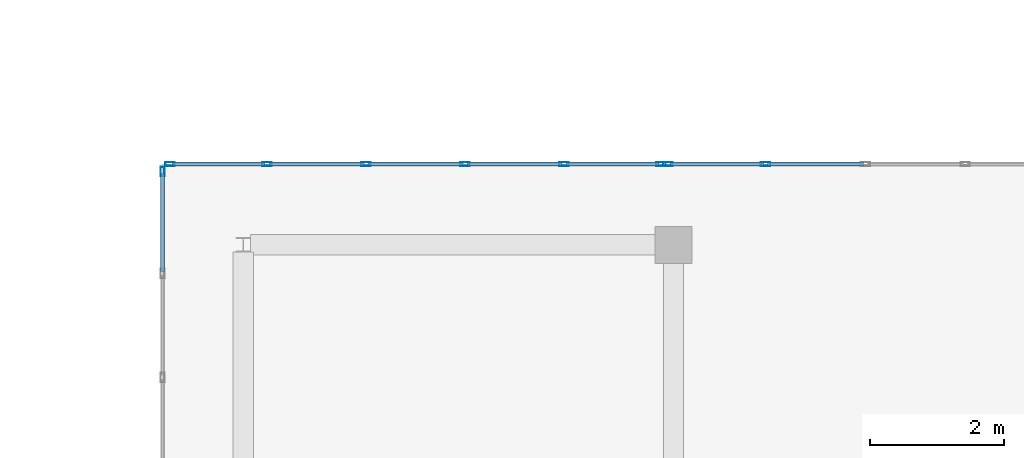
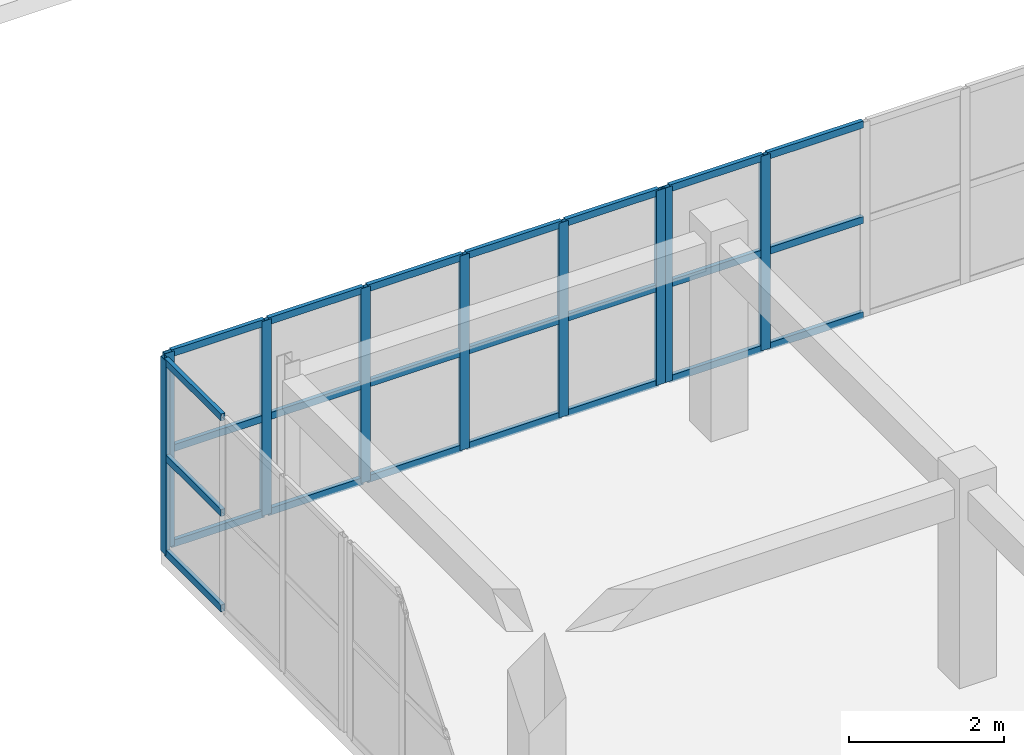
# One storey, part 57 of 148: 33 members, 3 elements without a shape of their own.
"""IFC4 building model written with IfcOpenShell, lengths in metres."""

from ifc_helpers import new_model, si_unit, direction, frame, origin, origin_2d, place, context, subcontext, project, spatial, hollow_rectangle, extrude, material, layer, layer_set, material_profile, profile_set, type_object, element, aggregate, save


model = new_model("IFC4")

# Units and contexts
model_context = context("Model", 3, precision=1e-05, world=origin(), true_north=direction((0.0, 1.0)))
body_context = subcontext(model_context, "Body", "Model", "MODEL_VIEW")
ifc_project = project(units=[si_unit("LENGTHUNIT", "METRE"), si_unit("AREAUNIT", "SQUARE_METRE"), si_unit("VOLUMEUNIT", "CUBIC_METRE"), si_unit("PLANEANGLEUNIT", "RADIAN"), si_unit("MASSUNIT", "GRAM", prefix="KILO")], contexts=[model_context])

# Site, building, storey
site_placement = place(None, origin())
site = spatial("IfcSite", under=ifc_project, at=site_placement, CompositionType="ELEMENT")
building_placement = place(site_placement, origin())
building = spatial("IfcBuilding", under=site, at=building_placement, Name="Trelvath General Hospital", CompositionType="ELEMENT")
storey_placement = place(building_placement, frame((0.0, 0.0, 12.89990234375)))
storey = spatial("IfcBuildingStorey", under=building, at=storey_placement, Name="L03", CompositionType="ELEMENT", Elevation=12.89990234375)

# Curtain wall, members
ifc_material_1 = material(Name="Anodised aluminium and low-E glass", Category="aluminium")
ifc_layer_1 = layer(ifc_material_1, 0.14990234375)
ifc_layer_set_1 = layer_set([ifc_layer_1], Name="Anodised aluminium and low-E glass")
curtain_wall_type_1 = type_object("IfcCurtainWallType", Name="CW CrystalCube 737 306 15", PredefinedType="USERDEFINED", material=ifc_layer_set_1)
curtain_wall_1_placement = place(storey_placement, origin())
curtain_wall_1 = element("IfcCurtainWall", 1, at=curtain_wall_1_placement, inside=storey, type_object=curtain_wall_type_1, Name="Crystal Cube Curtain Wall CUBE-W-T1 N1 L03", ObjectType="Unitised Glazed Curtain Wall", PredefinedType="USERDEFINED")
ifc_material_2 = material(Name="Anodised aluminium", Category="aluminium")
ifc_material_profile_1 = material_profile(ifc_material_2, hollow_rectangle(XDim=0.06005859375, YDim=0.139892578125, WallThickness=0.00390625, at=origin_2d()), Name="RHS60x140x4")
ifc_profile_set_1 = profile_set([ifc_material_profile_1], Name="Anodised aluminium")
member_type_1 = type_object("IfcMemberType", Name="CurtainMullion 60x140", PredefinedType="MULLION", material=ifc_profile_set_1)
member_1_placement = place(storey_placement, frame((53.31005859375, 80.39990234375, 0.0), z_axis=(0.0, 0.0, 1.0), x_axis=(0.0, 1.0, 0.0)))
member_1 = element("IfcMember", 2, at=member_1_placement, type_object=member_type_1, Name="CW-233 mullion 1", PredefinedType="MULLION", context=body_context, shape_type="SweptSolid", body=[
    extrude(hollow_rectangle(XDim=0.06005859375, YDim=0.139892578125, WallThickness=0.00390625, at=origin_2d()), origin(), (0.0, 0.0, 1.0), 3.06005859375),
])
member_2_placement = place(storey_placement, frame((54.75341796875, 80.39990234375, 0.0), z_axis=(0.0, 0.0, 1.0), x_axis=(0.0, 1.0, 0.0)))
member_2 = element("IfcMember", 3, at=member_2_placement, type_object=member_type_1, Name="CW-233 mullion 2", PredefinedType="MULLION", context=body_context, shape_type="SweptSolid", body=[
    extrude(hollow_rectangle(XDim=0.06005859375, YDim=0.139892578125, WallThickness=0.00390625, at=origin_2d()), origin(), (0.0, 0.0, 1.0), 3.06005859375),
])
member_3_placement = place(storey_placement, frame((56.2265625, 80.39990234375, 0.0), z_axis=(0.0, 0.0, 1.0), x_axis=(0.0, 1.0, 0.0)))
member_3 = element("IfcMember", 4, at=member_3_placement, type_object=member_type_1, Name="CW-233 mullion 3", PredefinedType="MULLION", context=body_context, shape_type="SweptSolid", body=[
    extrude(hollow_rectangle(XDim=0.06005859375, YDim=0.139892578125, WallThickness=0.00390625, at=origin_2d()), origin(), (0.0, 0.0, 1.0), 3.06005859375),
])
member_4_placement = place(storey_placement, frame((57.699951171875, 80.39990234375, 0.0), z_axis=(0.0, 0.0, 1.0), x_axis=(0.0, 1.0, 0.0)))
member_4 = element("IfcMember", 5, at=member_4_placement, type_object=member_type_1, Name="CW-233 mullion 4", PredefinedType="MULLION", context=body_context, shape_type="SweptSolid", body=[
    extrude(hollow_rectangle(XDim=0.06005859375, YDim=0.139892578125, WallThickness=0.00390625, at=origin_2d()), origin(), (0.0, 0.0, 1.0), 3.06005859375),
])
member_5_placement = place(storey_placement, frame((59.17333984375, 80.39990234375, 0.0), z_axis=(0.0, 0.0, 1.0), x_axis=(0.0, 1.0, 0.0)))
member_5 = element("IfcMember", 6, at=member_5_placement, type_object=member_type_1, Name="CW-233 mullion 5", PredefinedType="MULLION", context=body_context, shape_type="SweptSolid", body=[
    extrude(hollow_rectangle(XDim=0.06005859375, YDim=0.139892578125, WallThickness=0.00390625, at=origin_2d()), origin(), (0.0, 0.0, 1.0), 3.06005859375),
])
member_6_placement = place(storey_placement, frame((60.61669921875, 80.39990234375, 0.0), z_axis=(0.0, 0.0, 1.0), x_axis=(0.0, 1.0, 0.0)))
member_6 = element("IfcMember", 7, at=member_6_placement, type_object=member_type_1, Name="CW-233 mullion 6", PredefinedType="MULLION", context=body_context, shape_type="SweptSolid", body=[
    extrude(hollow_rectangle(XDim=0.06005859375, YDim=0.139892578125, WallThickness=0.00390625, at=origin_2d()), origin(), (0.0, 0.0, 1.0), 3.06005859375),
])

ifc_material_3 = material(Name="Anodised aluminium and low-E glass", Category="aluminium")
ifc_layer_2 = layer(ifc_material_3, 0.14990234375)
ifc_layer_set_2 = layer_set([ifc_layer_2], Name="Anodised aluminium and low-E glass")
curtain_wall_type_2 = type_object("IfcCurtainWallType", Name="CW CrystalCube 743 306 15", PredefinedType="USERDEFINED", material=ifc_layer_set_2)
curtain_wall_2_placement = place(storey_placement, origin())
curtain_wall_2 = element("IfcCurtainWall", 8, at=curtain_wall_2_placement, inside=storey, type_object=curtain_wall_type_2, Name="Crystal Cube Curtain Wall CUBE-W-T1 N2 L03", ObjectType="Unitised Glazed Curtain Wall", PredefinedType="USERDEFINED")
member_7_placement = place(storey_placement, frame((60.716796875, 80.39990234375, 0.0), z_axis=(0.0, 0.0, 1.0), x_axis=(0.0, 1.0, 0.0)))
member_7 = element("IfcMember", 9, at=member_7_placement, type_object=member_type_1, Name="CW-234 mullion 1", PredefinedType="MULLION", context=body_context, shape_type="SweptSolid", body=[
    extrude(hollow_rectangle(XDim=0.06005859375, YDim=0.139892578125, WallThickness=0.00390625, at=origin_2d()), origin(), (0.0, 0.0, 1.0), 3.06005859375),
])
member_8_placement = place(storey_placement, frame((62.172119140625, 80.39990234375, 0.0), z_axis=(0.0, 0.0, 1.0), x_axis=(0.0, 1.0, 0.0)))
member_8 = element("IfcMember", 10, at=member_8_placement, type_object=member_type_1, Name="CW-234 mullion 2", PredefinedType="MULLION", context=body_context, shape_type="SweptSolid", body=[
    extrude(hollow_rectangle(XDim=0.06005859375, YDim=0.139892578125, WallThickness=0.00390625, at=origin_2d()), origin(), (0.0, 0.0, 1.0), 3.06005859375),
])

# Curtain wall, member
ifc_material_4 = material(Name="Anodised aluminium and low-E glass", Category="aluminium")
ifc_layer_3 = layer(ifc_material_4, 0.14990234375)
ifc_layer_set_3 = layer_set([ifc_layer_3], Name="Anodised aluminium and low-E glass")
curtain_wall_type_3 = type_object("IfcCurtainWallType", Name="CW CrystalCube 464 306 15", PredefinedType="USERDEFINED", material=ifc_layer_set_3)
curtain_wall_3_placement = place(storey_placement, origin())
curtain_wall_3 = element("IfcCurtainWall", 11, at=curtain_wall_3_placement, inside=storey, type_object=curtain_wall_type_3, Name="Crystal Cube Curtain Wall CUBE-W-T1 W5 L03", ObjectType="Unitised Glazed Curtain Wall", PredefinedType="USERDEFINED")
member_9_placement = place(storey_placement, frame((53.199951171875, 80.2900390625, 0.0), z_axis=(0.0, 0.0, 1.0), x_axis=(-1.0, 0.0, 0.0)))
member_9 = element("IfcMember", 12, at=member_9_placement, type_object=member_type_1, Name="CW-242 mullion 4", PredefinedType="MULLION", context=body_context, shape_type="SweptSolid", body=[
    extrude(hollow_rectangle(XDim=0.06005859375, YDim=0.139892578125, WallThickness=0.00390625, at=origin_2d()), origin(), (0.0, 0.0, 1.0), 3.06005859375),
])

# Member
ifc_material_5 = material(Name="Anodised aluminium", Category="aluminium")
ifc_material_profile_2 = material_profile(ifc_material_5, hollow_rectangle(XDim=0.06005859375, YDim=0.110107421875, WallThickness=0.00390625, at=origin_2d()), Name="RHS60x110x4")
ifc_profile_set_2 = profile_set([ifc_material_profile_2], Name="Anodised aluminium")
member_type_2 = type_object("IfcMemberType", Name="CurtainTransom 60x110", PredefinedType="USERDEFINED", material=ifc_profile_set_2)
member_10_placement = place(storey_placement, frame((53.340087890625, 80.39990234375, 0.030029296875), z_axis=(1.0, 0.0, 0.0), x_axis=(0.0, 1.0, 0.0)))
member_10 = element("IfcMember", 13, at=member_10_placement, type_object=member_type_2, Name="CW-233 transom 1.1", ObjectType="TRANSOM", PredefinedType="USERDEFINED", context=body_context, shape_type="SweptSolid", body=[
    extrude(hollow_rectangle(XDim=0.06005859375, YDim=0.110107421875, WallThickness=0.00390625, at=origin_2d()), origin(), (0.0, 0.0, 1.0), 1.38330078125),
])

member_11_placement = place(storey_placement, frame((53.340087890625, 80.39990234375, 1.530029296875), z_axis=(1.0, 0.0, 0.0), x_axis=(0.0, 1.0, 0.0)))
member_11 = element("IfcMember", 14, at=member_11_placement, type_object=member_type_2, Name="CW-233 transom 1.2", ObjectType="TRANSOM", PredefinedType="USERDEFINED", context=body_context, shape_type="SweptSolid", body=[
    extrude(hollow_rectangle(XDim=0.06005859375, YDim=0.110107421875, WallThickness=0.00390625, at=origin_2d()), origin(), (0.0, 0.0, 1.0), 1.38330078125),
])

member_12_placement = place(storey_placement, frame((53.340087890625, 80.39990234375, 3.030029296875), z_axis=(1.0, 0.0, 0.0), x_axis=(0.0, 1.0, 0.0)))
member_12 = element("IfcMember", 15, at=member_12_placement, type_object=member_type_2, Name="CW-233 transom 1.3", ObjectType="TRANSOM", PredefinedType="USERDEFINED", context=body_context, shape_type="SweptSolid", body=[
    extrude(hollow_rectangle(XDim=0.06005859375, YDim=0.110107421875, WallThickness=0.00390625, at=origin_2d()), origin(), (0.0, 0.0, 1.0), 1.38330078125),
])

member_13_placement = place(storey_placement, frame((54.783447265625, 80.39990234375, 0.030029296875), z_axis=(1.0, 0.0, 0.0), x_axis=(0.0, 1.0, 0.0)))
member_13 = element("IfcMember", 16, at=member_13_placement, type_object=member_type_2, Name="CW-233 transom 2.1", ObjectType="TRANSOM", PredefinedType="USERDEFINED", context=body_context, shape_type="SweptSolid", body=[
    extrude(hollow_rectangle(XDim=0.06005859375, YDim=0.110107421875, WallThickness=0.00390625, at=origin_2d()), origin(), (0.0, 0.0, 1.0), 1.413330078125),
])

member_14_placement = place(storey_placement, frame((54.783447265625, 80.39990234375, 1.530029296875), z_axis=(1.0, 0.0, 0.0), x_axis=(0.0, 1.0, 0.0)))
member_14 = element("IfcMember", 17, at=member_14_placement, type_object=member_type_2, Name="CW-233 transom 2.2", ObjectType="TRANSOM", PredefinedType="USERDEFINED", context=body_context, shape_type="SweptSolid", body=[
    extrude(hollow_rectangle(XDim=0.06005859375, YDim=0.110107421875, WallThickness=0.00390625, at=origin_2d()), origin(), (0.0, 0.0, 1.0), 1.413330078125),
])

member_15_placement = place(storey_placement, frame((54.783447265625, 80.39990234375, 3.030029296875), z_axis=(1.0, 0.0, 0.0), x_axis=(0.0, 1.0, 0.0)))
member_15 = element("IfcMember", 18, at=member_15_placement, type_object=member_type_2, Name="CW-233 transom 2.3", ObjectType="TRANSOM", PredefinedType="USERDEFINED", context=body_context, shape_type="SweptSolid", body=[
    extrude(hollow_rectangle(XDim=0.06005859375, YDim=0.110107421875, WallThickness=0.00390625, at=origin_2d()), origin(), (0.0, 0.0, 1.0), 1.413330078125),
])

member_16_placement = place(storey_placement, frame((56.256591796875, 80.39990234375, 0.030029296875), z_axis=(1.0, 0.0, 0.0), x_axis=(0.0, 1.0, 0.0)))
member_16 = element("IfcMember", 19, at=member_16_placement, type_object=member_type_2, Name="CW-233 transom 3.1", ObjectType="TRANSOM", PredefinedType="USERDEFINED", context=body_context, shape_type="SweptSolid", body=[
    extrude(hollow_rectangle(XDim=0.06005859375, YDim=0.110107421875, WallThickness=0.00390625, at=origin_2d()), origin(), (0.0, 0.0, 1.0), 1.413330078125),
])

member_17_placement = place(storey_placement, frame((56.256591796875, 80.39990234375, 1.530029296875), z_axis=(1.0, 0.0, 0.0), x_axis=(0.0, 1.0, 0.0)))
member_17 = element("IfcMember", 20, at=member_17_placement, type_object=member_type_2, Name="CW-233 transom 3.2", ObjectType="TRANSOM", PredefinedType="USERDEFINED", context=body_context, shape_type="SweptSolid", body=[
    extrude(hollow_rectangle(XDim=0.06005859375, YDim=0.110107421875, WallThickness=0.00390625, at=origin_2d()), origin(), (0.0, 0.0, 1.0), 1.413330078125),
])

member_18_placement = place(storey_placement, frame((56.256591796875, 80.39990234375, 3.030029296875), z_axis=(1.0, 0.0, 0.0), x_axis=(0.0, 1.0, 0.0)))
member_18 = element("IfcMember", 21, at=member_18_placement, type_object=member_type_2, Name="CW-233 transom 3.3", ObjectType="TRANSOM", PredefinedType="USERDEFINED", context=body_context, shape_type="SweptSolid", body=[
    extrude(hollow_rectangle(XDim=0.06005859375, YDim=0.110107421875, WallThickness=0.00390625, at=origin_2d()), origin(), (0.0, 0.0, 1.0), 1.413330078125),
])

member_19_placement = place(storey_placement, frame((57.72998046875, 80.39990234375, 0.030029296875), z_axis=(1.0, 0.0, 0.0), x_axis=(0.0, 1.0, 0.0)))
member_19 = element("IfcMember", 22, at=member_19_placement, type_object=member_type_2, Name="CW-233 transom 4.1", ObjectType="TRANSOM", PredefinedType="USERDEFINED", context=body_context, shape_type="SweptSolid", body=[
    extrude(hollow_rectangle(XDim=0.06005859375, YDim=0.110107421875, WallThickness=0.00390625, at=origin_2d()), origin(), (0.0, 0.0, 1.0), 1.413330078125),
])

member_20_placement = place(storey_placement, frame((57.72998046875, 80.39990234375, 1.530029296875), z_axis=(1.0, 0.0, 0.0), x_axis=(0.0, 1.0, 0.0)))
member_20 = element("IfcMember", 23, at=member_20_placement, type_object=member_type_2, Name="CW-233 transom 4.2", ObjectType="TRANSOM", PredefinedType="USERDEFINED", context=body_context, shape_type="SweptSolid", body=[
    extrude(hollow_rectangle(XDim=0.06005859375, YDim=0.110107421875, WallThickness=0.00390625, at=origin_2d()), origin(), (0.0, 0.0, 1.0), 1.413330078125),
])

member_21_placement = place(storey_placement, frame((57.72998046875, 80.39990234375, 3.030029296875), z_axis=(1.0, 0.0, 0.0), x_axis=(0.0, 1.0, 0.0)))
member_21 = element("IfcMember", 24, at=member_21_placement, type_object=member_type_2, Name="CW-233 transom 4.3", ObjectType="TRANSOM", PredefinedType="USERDEFINED", context=body_context, shape_type="SweptSolid", body=[
    extrude(hollow_rectangle(XDim=0.06005859375, YDim=0.110107421875, WallThickness=0.00390625, at=origin_2d()), origin(), (0.0, 0.0, 1.0), 1.413330078125),
])

member_22_placement = place(storey_placement, frame((59.203369140625, 80.39990234375, 0.030029296875), z_axis=(1.0, 0.0, 0.0), x_axis=(0.0, 1.0, 0.0)))
member_22 = element("IfcMember", 25, at=member_22_placement, type_object=member_type_2, Name="CW-233 transom 5.1", ObjectType="TRANSOM", PredefinedType="USERDEFINED", context=body_context, shape_type="SweptSolid", body=[
    extrude(hollow_rectangle(XDim=0.06005859375, YDim=0.110107421875, WallThickness=0.00390625, at=origin_2d()), origin(), (0.0, 0.0, 1.0), 1.38330078125),
])

member_23_placement = place(storey_placement, frame((59.203369140625, 80.39990234375, 1.530029296875), z_axis=(1.0, 0.0, 0.0), x_axis=(0.0, 1.0, 0.0)))
member_23 = element("IfcMember", 26, at=member_23_placement, type_object=member_type_2, Name="CW-233 transom 5.2", ObjectType="TRANSOM", PredefinedType="USERDEFINED", context=body_context, shape_type="SweptSolid", body=[
    extrude(hollow_rectangle(XDim=0.06005859375, YDim=0.110107421875, WallThickness=0.00390625, at=origin_2d()), origin(), (0.0, 0.0, 1.0), 1.38330078125),
])

member_24_placement = place(storey_placement, frame((59.203369140625, 80.39990234375, 3.030029296875), z_axis=(1.0, 0.0, 0.0), x_axis=(0.0, 1.0, 0.0)))
member_24 = element("IfcMember", 27, at=member_24_placement, type_object=member_type_2, Name="CW-233 transom 5.3", ObjectType="TRANSOM", PredefinedType="USERDEFINED", context=body_context, shape_type="SweptSolid", body=[
    extrude(hollow_rectangle(XDim=0.06005859375, YDim=0.110107421875, WallThickness=0.00390625, at=origin_2d()), origin(), (0.0, 0.0, 1.0), 1.38330078125),
])

aggregate(curtain_wall_1, [member_1, member_2, member_3, member_4, member_5, member_6, member_10, member_11, member_12, member_13, member_14, member_15, member_16, member_17, member_18, member_19, member_20, member_21, member_22, member_23, member_24])

member_25_placement = place(storey_placement, frame((60.74658203125, 80.39990234375, 0.030029296875), z_axis=(1.0, 0.0, 0.0), x_axis=(0.0, 1.0, 0.0)))
member_25 = element("IfcMember", 28, at=member_25_placement, type_object=member_type_2, Name="CW-234 transom 1.1", ObjectType="TRANSOM", PredefinedType="USERDEFINED", context=body_context, shape_type="SweptSolid", body=[
    extrude(hollow_rectangle(XDim=0.06005859375, YDim=0.110107421875, WallThickness=0.00390625, at=origin_2d()), origin(), (0.0, 0.0, 1.0), 1.3955078125),
])

member_26_placement = place(storey_placement, frame((60.74658203125, 80.39990234375, 1.530029296875), z_axis=(1.0, 0.0, 0.0), x_axis=(0.0, 1.0, 0.0)))
member_26 = element("IfcMember", 29, at=member_26_placement, type_object=member_type_2, Name="CW-234 transom 1.2", ObjectType="TRANSOM", PredefinedType="USERDEFINED", context=body_context, shape_type="SweptSolid", body=[
    extrude(hollow_rectangle(XDim=0.06005859375, YDim=0.110107421875, WallThickness=0.00390625, at=origin_2d()), origin(), (0.0, 0.0, 1.0), 1.3955078125),
])

member_27_placement = place(storey_placement, frame((60.74658203125, 80.39990234375, 3.030029296875), z_axis=(1.0, 0.0, 0.0), x_axis=(0.0, 1.0, 0.0)))
member_27 = element("IfcMember", 30, at=member_27_placement, type_object=member_type_2, Name="CW-234 transom 1.3", ObjectType="TRANSOM", PredefinedType="USERDEFINED", context=body_context, shape_type="SweptSolid", body=[
    extrude(hollow_rectangle(XDim=0.06005859375, YDim=0.110107421875, WallThickness=0.00390625, at=origin_2d()), origin(), (0.0, 0.0, 1.0), 1.3955078125),
])

member_28_placement = place(storey_placement, frame((62.201904296875, 80.39990234375, 0.030029296875), z_axis=(1.0, 0.0, 0.0), x_axis=(0.0, 1.0, 0.0)))
member_28 = element("IfcMember", 31, at=member_28_placement, type_object=member_type_2, Name="CW-234 transom 2.1", ObjectType="TRANSOM", PredefinedType="USERDEFINED", context=body_context, shape_type="SweptSolid", body=[
    extrude(hollow_rectangle(XDim=0.06005859375, YDim=0.110107421875, WallThickness=0.00390625, at=origin_2d()), origin(), (0.0, 0.0, 1.0), 1.425537109375),
])

member_29_placement = place(storey_placement, frame((62.201904296875, 80.39990234375, 1.530029296875), z_axis=(1.0, 0.0, 0.0), x_axis=(0.0, 1.0, 0.0)))
member_29 = element("IfcMember", 32, at=member_29_placement, type_object=member_type_2, Name="CW-234 transom 2.2", ObjectType="TRANSOM", PredefinedType="USERDEFINED", context=body_context, shape_type="SweptSolid", body=[
    extrude(hollow_rectangle(XDim=0.06005859375, YDim=0.110107421875, WallThickness=0.00390625, at=origin_2d()), origin(), (0.0, 0.0, 1.0), 1.425537109375),
])

member_30_placement = place(storey_placement, frame((62.201904296875, 80.39990234375, 3.030029296875), z_axis=(1.0, 0.0, 0.0), x_axis=(0.0, 1.0, 0.0)))
member_30 = element("IfcMember", 33, at=member_30_placement, type_object=member_type_2, Name="CW-234 transom 2.3", ObjectType="TRANSOM", PredefinedType="USERDEFINED", context=body_context, shape_type="SweptSolid", body=[
    extrude(hollow_rectangle(XDim=0.06005859375, YDim=0.110107421875, WallThickness=0.00390625, at=origin_2d()), origin(), (0.0, 0.0, 1.0), 1.425537109375),
])

aggregate(curtain_wall_2, [member_7, member_8, member_25, member_26, member_27, member_28, member_29, member_30])

member_31_placement = place(storey_placement, frame((53.199951171875, 78.80322265625, 0.030029296875), z_axis=(0.0, 1.0, 0.0), x_axis=(-1.0, 0.0, 0.0)))
member_31 = element("IfcMember", 34, at=member_31_placement, type_object=member_type_2, Name="CW-242 transom 3.1", ObjectType="TRANSOM", PredefinedType="USERDEFINED", context=body_context, shape_type="SweptSolid", body=[
    extrude(hollow_rectangle(XDim=0.06005859375, YDim=0.110107421875, WallThickness=0.00390625, at=origin_2d()), origin(), (0.0, 0.0, 1.0), 1.456787109375),
])

member_32_placement = place(storey_placement, frame((53.199951171875, 78.80322265625, 1.530029296875), z_axis=(0.0, 1.0, 0.0), x_axis=(-1.0, 0.0, 0.0)))
member_32 = element("IfcMember", 35, at=member_32_placement, type_object=member_type_2, Name="CW-242 transom 3.2", ObjectType="TRANSOM", PredefinedType="USERDEFINED", context=body_context, shape_type="SweptSolid", body=[
    extrude(hollow_rectangle(XDim=0.06005859375, YDim=0.110107421875, WallThickness=0.00390625, at=origin_2d()), origin(), (0.0, 0.0, 1.0), 1.456787109375),
])

member_33_placement = place(storey_placement, frame((53.199951171875, 78.80322265625, 3.030029296875), z_axis=(0.0, 1.0, 0.0), x_axis=(-1.0, 0.0, 0.0)))
member_33 = element("IfcMember", 36, at=member_33_placement, type_object=member_type_2, Name="CW-242 transom 3.3", ObjectType="TRANSOM", PredefinedType="USERDEFINED", context=body_context, shape_type="SweptSolid", body=[
    extrude(hollow_rectangle(XDim=0.06005859375, YDim=0.110107421875, WallThickness=0.00390625, at=origin_2d()), origin(), (0.0, 0.0, 1.0), 1.456787109375),
])

aggregate(curtain_wall_3, [member_9, member_31, member_32, member_33])

save(model, "model.ifc")
